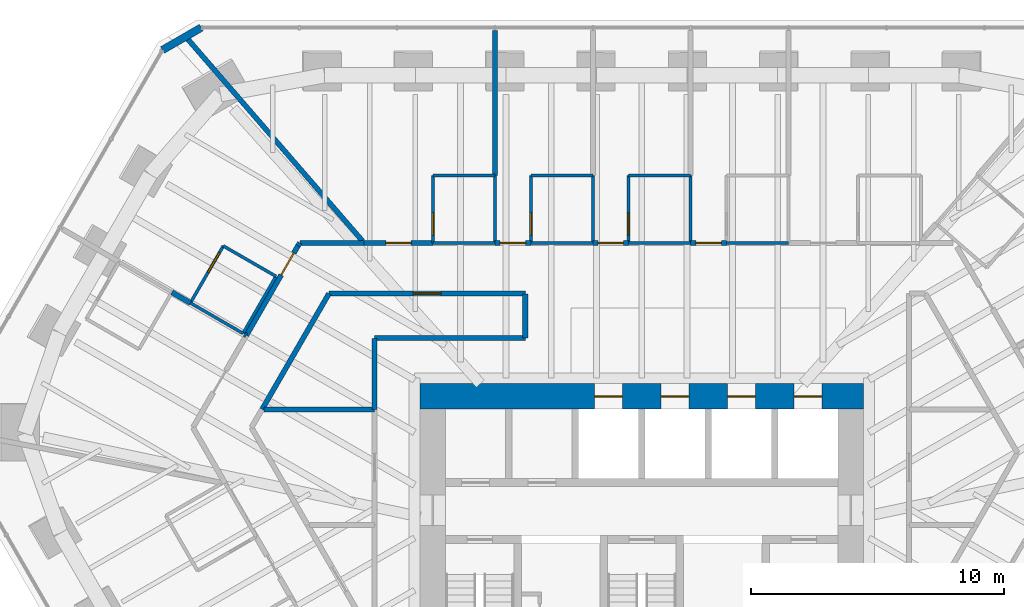
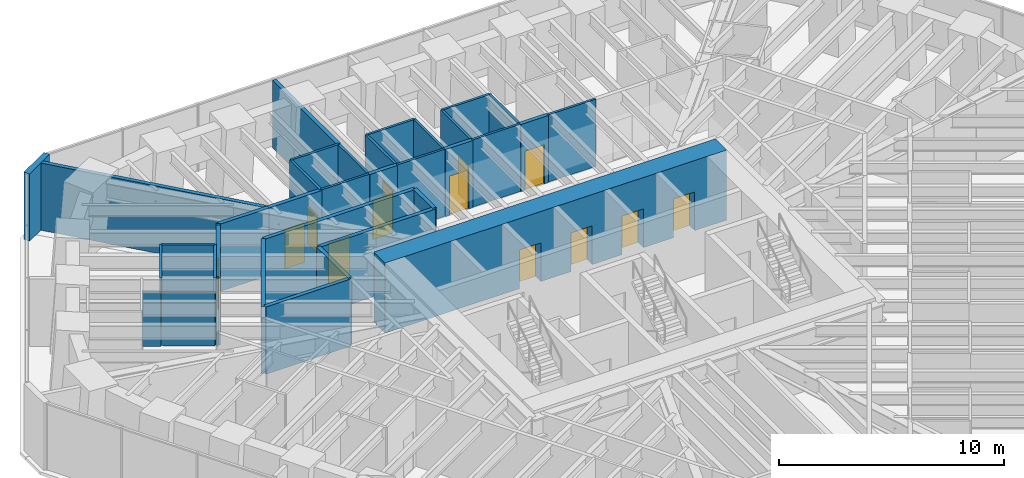
# One storey, part 15 of 17: 36 walls, 14 doors, 14 openings.
"""IFC4 building model written with IfcOpenShell, lengths in metres."""

from ifc_helpers import new_model, si_unit, direction, frame, frame_2d, origin, place, context, subcontext, project, spatial, rectangle, extrude, material, layer, layer_set, type_object, element, fill, save


model = new_model("IFC4")

# Units and contexts
model_context = context("Model", 3, precision=1e-05, world=origin(), true_north=direction((0.0, 1.0)))
body_context = subcontext(model_context, "Body", "Model", "MODEL_VIEW")
ifc_project = project(units=[si_unit("LENGTHUNIT", "METRE"), si_unit("AREAUNIT", "SQUARE_METRE"), si_unit("VOLUMEUNIT", "CUBIC_METRE"), si_unit("PLANEANGLEUNIT", "RADIAN"), si_unit("MASSUNIT", "GRAM", prefix="KILO")], contexts=[model_context])

# Site, building, storey
site_placement = place(None, origin())
site = spatial("IfcSite", under=ifc_project, at=site_placement, CompositionType="ELEMENT")
building_placement = place(site_placement, origin())
building = spatial("IfcBuilding", under=site, at=building_placement, Name="Sandreach Pilgrim Tower", CompositionType="ELEMENT")
storey_placement = place(building_placement, frame((0.0, 0.0, 240.199951171875)))
storey = spatial("IfcBuildingStorey", under=building, at=storey_placement, Name="L60", CompositionType="ELEMENT", Elevation=240.199951171875)

# Wall
ifc_material_1 = material(Name="Moisture-resistant gypsum board on steel studs", Category="steel")
ifc_layer_1 = layer(ifc_material_1, 0.1201171875)
ifc_layer_set_1 = layer_set([ifc_layer_1], Name="Bathroom partition 120")
wall_type_1 = type_object("IfcWallType", Name="Bathroom partition 120", PredefinedType="PARTITIONING", material=ifc_layer_set_1)
wall_1_placement = place(storey_placement, frame((-17.820068359375, 10.2900390625, 0.0), z_axis=(0.0, 0.0, 1.0), x_axis=(0.86531257009, -0.501232636652, 0.0)))
element("IfcWall", 1, at=wall_1_placement, inside=storey, type_object=wall_type_1, Name="Bathroom partition L60-010", PredefinedType="PARTITIONING", context=body_context, shape_type="SweptSolid", body=[
    extrude(rectangle(XDim=2.4013671875, YDim=0.1201171875, at=frame_2d((1.20068359375, 0.0))), origin(), (0.0, 0.0, 1.0), 2.8779296875),
])

# Wall, opening, door
wall_2_placement = place(storey_placement, frame((-16.52001953125, 12.5400390625, 0.0), z_axis=(0.0, 0.0, 1.0), x_axis=(-0.500291685314, -0.865856933682, 0.0)))
wall_2 = element("IfcWall", 2, at=wall_2_placement, inside=storey, type_object=wall_type_1, Name="Bathroom partition L60-015", PredefinedType="PARTITIONING", context=body_context, shape_type="SweptSolid", body=[
    extrude(rectangle(XDim=2.5986328125, YDim=0.1201171875, at=frame_2d((1.29931640625, 0.0))), origin(), (0.0, 0.0, 1.0), 3.64013671875),
])
opening_1_placement = place(wall_2_placement, frame((0.300048828125, 0.0, 0.0)))
opening_1 = element("IfcOpeningElement", 3, at=opening_1_placement, cuts=wall_2, Name="Opening D09-19B", PredefinedType="OPENING", context=body_context, shape_type="SweptSolid", body=[
    extrude(rectangle(XDim=0.89990234375, YDim=2.030029296875, at=frame_2d((0.449951171875, 1.01513671875))), frame((0.0, 0.06005859375, 0.0), z_axis=(0.0, -1.0, 0.0), x_axis=(1.0, 0.0, 0.0)), (0.0, 0.0, 1.0), 0.1201171875),
])
ifc_material_2 = material(Name="Timber door, steel frame", Category="steel")
door_type_1 = type_object("IfcDoorType", Name="Bathroom door", OperationType="SINGLE_SWING_LEFT", PredefinedType="DOOR", material=ifc_material_2)
door_1_placement = place(opening_1_placement, origin())
door_1 = element("IfcDoor", 4, at=door_1_placement, inside=storey, type_object=door_type_1, Name="Door 6019B", OperationType="SINGLE_SWING_LEFT", OverallHeight=2.030029296875, OverallWidth=0.89990234375, PredefinedType="DOOR", context=body_context, shape_type="SweptSolid", body=[
    extrude(rectangle(XDim=0.89990234375, YDim=2.030029296875, at=frame_2d((0.449951171875, 1.01513671875))), frame((0.0, 0.02490234375, 0.0), z_axis=(0.0, -1.0, 0.0), x_axis=(1.0, 0.0, 0.0)), (0.0, 0.0, 1.0), 0.050048828125),
])
fill(opening_1, door_1)

# Walls
wall_3_placement = place(storey_placement, frame((-15.739990234375, 9.090087890625, 0.0), z_axis=(0.0, 0.0, 1.0), x_axis=(0.500291685314, 0.865856933682, 0.0)))
element("IfcWall", 5, at=wall_3_placement, inside=storey, type_object=wall_type_1, Name="Bathroom partition L60-019", PredefinedType="PARTITIONING", context=body_context, shape_type="SweptSolid", body=[
    extrude(rectangle(XDim=2.5986328125, YDim=0.1201171875, at=frame_2d((1.29931640625, 0.0))), origin(), (0.0, 0.0, 1.0), 3.64013671875),
])
wall_4_placement = place(storey_placement, frame((-14.43994140625, 11.340087890625, 0.0), z_axis=(0.0, 0.0, 1.0), x_axis=(-0.866202511239, 0.499693115345, 0.0)))
element("IfcWall", 6, at=wall_4_placement, inside=storey, type_object=wall_type_1, Name="Bathroom partition L60-028", PredefinedType="PARTITIONING", context=body_context, shape_type="SweptSolid", body=[
    extrude(rectangle(XDim=2.4013671875, YDim=0.1201171875, at=frame_2d((1.20068359375, 0.0))), origin(), (0.0, 0.0, 1.0), 3.64013671875),
])

# Wall, opening, door
wall_5_placement = place(storey_placement, frame((-8.25, 15.330078125, 0.0), z_axis=(0.0, 0.0, 1.0), x_axis=(0.0, -1.0, 0.0)))
wall_5 = element("IfcWall", 7, at=wall_5_placement, inside=storey, type_object=wall_type_1, Name="Bathroom partition L60-046", PredefinedType="PARTITIONING", context=body_context, shape_type="SweptSolid", body=[
    extrude(rectangle(XDim=2.670166015625, YDim=0.1201171875, at=frame_2d((1.3349609375, 0.0))), origin(), (0.0, 0.0, 1.0), 3.64013671875),
])
opening_2_placement = place(wall_5_placement, frame((1.469970703125, 0.0, 0.0)))
opening_2 = element("IfcOpeningElement", 8, at=opening_2_placement, cuts=wall_5, Name="Opening D09-01B", PredefinedType="OPENING", context=body_context, shape_type="SweptSolid", body=[
    extrude(rectangle(XDim=0.89990234375, YDim=2.030029296875, at=frame_2d((0.449951171875, 1.01513671875))), frame((0.0, 0.06005859375, 0.0), z_axis=(0.0, -1.0, 0.0), x_axis=(1.0, 0.0, 0.0)), (0.0, 0.0, 1.0), 0.1201171875),
])
door_2_placement = place(opening_2_placement, origin())
door_2 = element("IfcDoor", 9, at=door_2_placement, inside=storey, type_object=door_type_1, Name="Door 6001B", OperationType="SINGLE_SWING_RIGHT", OverallHeight=2.030029296875, OverallWidth=0.89990234375, PredefinedType="DOOR", context=body_context, shape_type="SweptSolid", body=[
    extrude(rectangle(XDim=0.89990234375, YDim=2.030029296875, at=frame_2d((0.449951171875, 1.01513671875))), frame((0.0, 0.02490234375, 0.0), z_axis=(0.0, -1.0, 0.0), x_axis=(1.0, 0.0, 0.0)), (0.0, 0.0, 1.0), 0.050048828125),
])
fill(opening_2, door_2)

# Walls
for number, where, z_axis, x_axis, name in (
    (10, (-5.800048828125, 12.659912109375, 0.0), (0.0, 0.0, 1.0), (-1.0, 0.0, 0.0), "Bathroom partition L60-049"),
    (11, (-5.800048828125, 15.330078125, 0.0), (0.0, 0.0, 1.0), (-1.0, 0.0, 0.0), "Bathroom partition L60-050"),
):
    element("IfcWall", number, at=place(storey_placement, frame(where, z_axis=z_axis, x_axis=x_axis)), inside=storey, type_object=wall_type_1, Name=name, PredefinedType="PARTITIONING", context=body_context, shape_type="SweptSolid", body=[
        extrude(rectangle(XDim=2.449951171875, YDim=0.1201171875, at=frame_2d((1.22509765625, 0.0))), origin(), (0.0, 0.0, 1.0), 3.64013671875),
    ])
wall_6_placement = place(storey_placement, frame((-5.800048828125, 15.330078125, 0.0), z_axis=(0.0, 0.0, 1.0), x_axis=(0.0, -1.0, 0.0)))
element("IfcWall", 12, at=wall_6_placement, inside=storey, type_object=wall_type_1, Name="Bathroom partition L60-051", PredefinedType="PARTITIONING", context=body_context, shape_type="SweptSolid", body=[
    extrude(rectangle(XDim=2.670166015625, YDim=0.1201171875, at=frame_2d((1.3349609375, 0.0))), origin(), (0.0, 0.0, 1.0), 3.64013671875),
])

# Wall, opening, door
wall_7_placement = place(storey_placement, frame((-4.3798828125, 15.330078125, 0.0), z_axis=(0.0, 0.0, 1.0), x_axis=(0.0, -1.0, 0.0)))
wall_7 = element("IfcWall", 13, at=wall_7_placement, inside=storey, type_object=wall_type_1, Name="Bathroom partition L60-057", PredefinedType="PARTITIONING", context=body_context, shape_type="SweptSolid", body=[
    extrude(rectangle(XDim=2.670166015625, YDim=0.1201171875, at=frame_2d((1.3349609375, 0.0))), origin(), (0.0, 0.0, 1.0), 3.64013671875),
])
opening_3_placement = place(wall_7_placement, frame((1.469970703125, 0.0, 0.0)))
opening_3 = element("IfcOpeningElement", 14, at=opening_3_placement, cuts=wall_7, Name="Opening D09-02B", PredefinedType="OPENING", context=body_context, shape_type="SweptSolid", body=[
    extrude(rectangle(XDim=0.89990234375, YDim=2.030029296875, at=frame_2d((0.449951171875, 1.01513671875))), frame((0.0, 0.06005859375, 0.0), z_axis=(0.0, -1.0, 0.0), x_axis=(1.0, 0.0, 0.0)), (0.0, 0.0, 1.0), 0.1201171875),
])
door_3_placement = place(opening_3_placement, origin())
door_3 = element("IfcDoor", 15, at=door_3_placement, inside=storey, type_object=door_type_1, Name="Door 6002B", OperationType="SINGLE_SWING_RIGHT", OverallHeight=2.030029296875, OverallWidth=0.89990234375, PredefinedType="DOOR", context=body_context, shape_type="SweptSolid", body=[
    extrude(rectangle(XDim=0.89990234375, YDim=2.030029296875, at=frame_2d((0.449951171875, 1.01513671875))), frame((0.0, 0.02490234375, 0.0), z_axis=(0.0, -1.0, 0.0), x_axis=(1.0, 0.0, 0.0)), (0.0, 0.0, 1.0), 0.050048828125),
])
fill(opening_3, door_3)

# Walls
for number, where, z_axis, x_axis, name in (
    (16, (-1.929931640625, 12.659912109375, 0.0), (0.0, 0.0, 1.0), (-1.0, 0.0, 0.0), "Bathroom partition L60-064"),
    (17, (-1.929931640625, 15.330078125, 0.0), (0.0, 0.0, 1.0), (-1.0, 0.0, 0.0), "Bathroom partition L60-065"),
):
    element("IfcWall", number, at=place(storey_placement, frame(where, z_axis=z_axis, x_axis=x_axis)), inside=storey, type_object=wall_type_1, Name=name, PredefinedType="PARTITIONING", context=body_context, shape_type="SweptSolid", body=[
        extrude(rectangle(XDim=2.449951171875, YDim=0.1201171875, at=frame_2d((1.22509765625, 0.0))), origin(), (0.0, 0.0, 1.0), 3.64013671875),
    ])
wall_8_placement = place(storey_placement, frame((-1.929931640625, 15.330078125, 0.0), z_axis=(0.0, 0.0, 1.0), x_axis=(0.0, -1.0, 0.0)))
element("IfcWall", 18, at=wall_8_placement, inside=storey, type_object=wall_type_1, Name="Bathroom partition L60-066", PredefinedType="PARTITIONING", context=body_context, shape_type="SweptSolid", body=[
    extrude(rectangle(XDim=2.670166015625, YDim=0.1201171875, at=frame_2d((1.3349609375, 0.0))), origin(), (0.0, 0.0, 1.0), 3.64013671875),
])

# Wall, opening, door
wall_9_placement = place(storey_placement, frame((-0.52001953125, 15.330078125, 0.0), z_axis=(0.0, 0.0, 1.0), x_axis=(0.0, -1.0, 0.0)))
wall_9 = element("IfcWall", 19, at=wall_9_placement, inside=storey, type_object=wall_type_1, Name="Bathroom partition L60-071", PredefinedType="PARTITIONING", context=body_context, shape_type="SweptSolid", body=[
    extrude(rectangle(XDim=2.670166015625, YDim=0.1201171875, at=frame_2d((1.3349609375, 0.0))), origin(), (0.0, 0.0, 1.0), 3.64013671875),
])
opening_4_placement = place(wall_9_placement, frame((1.469970703125, 0.0, 0.0)))
opening_4 = element("IfcOpeningElement", 20, at=opening_4_placement, cuts=wall_9, Name="Opening D09-03B", PredefinedType="OPENING", context=body_context, shape_type="SweptSolid", body=[
    extrude(rectangle(XDim=0.89990234375, YDim=2.030029296875, at=frame_2d((0.449951171875, 1.01513671875))), frame((0.0, 0.06005859375, 0.0), z_axis=(0.0, -1.0, 0.0), x_axis=(1.0, 0.0, 0.0)), (0.0, 0.0, 1.0), 0.1201171875),
])
door_4_placement = place(opening_4_placement, origin())
door_4 = element("IfcDoor", 21, at=door_4_placement, inside=storey, type_object=door_type_1, Name="Door 6003B", OperationType="SINGLE_SWING_RIGHT", OverallHeight=2.030029296875, OverallWidth=0.89990234375, PredefinedType="DOOR", context=body_context, shape_type="SweptSolid", body=[
    extrude(rectangle(XDim=0.89990234375, YDim=2.030029296875, at=frame_2d((0.449951171875, 1.01513671875))), frame((0.0, 0.02490234375, 0.0), z_axis=(0.0, -1.0, 0.0), x_axis=(1.0, 0.0, 0.0)), (0.0, 0.0, 1.0), 0.050048828125),
])
fill(opening_4, door_4)

# Walls
for number, where, z_axis, x_axis, name in (
    (22, (1.929931640625, 12.659912109375, 0.0), (0.0, 0.0, 1.0), (-1.0, 0.0, 0.0), "Bathroom partition L60-079"),
    (23, (1.929931640625, 15.330078125, 0.0), (0.0, 0.0, 1.0), (-1.0, 0.0, 0.0), "Bathroom partition L60-080"),
):
    element("IfcWall", number, at=place(storey_placement, frame(where, z_axis=z_axis, x_axis=x_axis)), inside=storey, type_object=wall_type_1, Name=name, PredefinedType="PARTITIONING", context=body_context, shape_type="SweptSolid", body=[
        extrude(rectangle(XDim=2.449951171875, YDim=0.1201171875, at=frame_2d((1.22509765625, 0.0))), origin(), (0.0, 0.0, 1.0), 3.64013671875),
    ])
wall_10_placement = place(storey_placement, frame((1.929931640625, 15.330078125, 0.0), z_axis=(0.0, 0.0, 1.0), x_axis=(0.0, -1.0, 0.0)))
element("IfcWall", 24, at=wall_10_placement, inside=storey, type_object=wall_type_1, Name="Bathroom partition L60-081", PredefinedType="PARTITIONING", context=body_context, shape_type="SweptSolid", body=[
    extrude(rectangle(XDim=2.670166015625, YDim=0.1201171875, at=frame_2d((1.3349609375, 0.0))), origin(), (0.0, 0.0, 1.0), 3.64013671875),
])
wall_11_placement = place(storey_placement, frame((5.800048828125, 12.659912109375, 0.0), z_axis=(0.0, 0.0, 1.0), x_axis=(-1.0, 0.0, 0.0)))
element("IfcWall", 25, at=wall_11_placement, inside=storey, type_object=wall_type_1, Name="Bathroom partition L60-092", PredefinedType="PARTITIONING", context=body_context, shape_type="SweptSolid", body=[
    extrude(rectangle(XDim=2.449951171875, YDim=0.1201171875, at=frame_2d((1.22509765625, 0.0))), origin(), (0.0, 0.0, 1.0), 3.64013671875),
])

# Wall, openings, doors
ifc_material_3 = material(Name="Concrete 10000 psi", Category="concrete")
ifc_layer_2 = layer(ifc_material_3, 1.0)
ifc_layer_set_2 = layer_set([ifc_layer_2], Name="Core wall 1000")
wall_type_2 = type_object("IfcWallType", Name="Core wall 1000", PredefinedType="SHEAR", material=ifc_layer_set_2)
wall_12_placement = place(storey_placement, frame((-8.75, 6.60009765625, 0.0), z_axis=(0.0, 0.0, 1.0), x_axis=(1.0, 0.0, 0.0)))
wall_12 = element("IfcWall", 26, at=wall_12_placement, inside=storey, type_object=wall_type_2, Name="Core wall N L60", PredefinedType="SHEAR", context=body_context, shape_type="SweptSolid", body=[
    extrude(rectangle(XDim=17.5, YDim=1.0, at=frame_2d((8.75, 0.0))), origin(), (0.0, 0.0, 1.0), 3.800048828125),
])
opening_5_placement = place(wall_12_placement, frame((6.887451171875, 0.0, 0.0)))
opening_5 = element("IfcOpeningElement", 27, at=opening_5_placement, cuts=wall_12, Name="Opening LD11", PredefinedType="OPENING", context=body_context, shape_type="SweptSolid", body=[
    extrude(rectangle(XDim=1.10009765625, YDim=2.10009765625, at=frame_2d((0.550048828125, 1.050048828125))), frame((0.0, 0.5, 0.0), z_axis=(0.0, -1.0, 0.0), x_axis=(1.0, 0.0, 0.0)), (0.0, 0.0, 1.0), 1.0),
])
opening_6_placement = place(wall_12_placement, frame((9.512451171875, 0.0, 0.0)))
opening_6 = element("IfcOpeningElement", 28, at=opening_6_placement, cuts=wall_12, Name="Opening LD11", PredefinedType="OPENING", context=body_context, shape_type="SweptSolid", body=[
    extrude(rectangle(XDim=1.10009765625, YDim=2.10009765625, at=frame_2d((0.550048828125, 1.050048828125))), frame((0.0, 0.5, 0.0), z_axis=(0.0, -1.0, 0.0), x_axis=(1.0, 0.0, 0.0)), (0.0, 0.0, 1.0), 1.0),
])
opening_7_placement = place(wall_12_placement, frame((12.137451171875, 0.0, 0.0)))
opening_7 = element("IfcOpeningElement", 29, at=opening_7_placement, cuts=wall_12, Name="Opening LD11", PredefinedType="OPENING", context=body_context, shape_type="SweptSolid", body=[
    extrude(rectangle(XDim=1.10009765625, YDim=2.10009765625, at=frame_2d((0.550048828125, 1.050048828125))), frame((0.0, 0.5, 0.0), z_axis=(0.0, -1.0, 0.0), x_axis=(1.0, 0.0, 0.0)), (0.0, 0.0, 1.0), 1.0),
])
opening_8_placement = place(wall_12_placement, frame((14.762451171875, 0.0, 0.0)))
opening_8 = element("IfcOpeningElement", 30, at=opening_8_placement, cuts=wall_12, Name="Opening LD11", PredefinedType="OPENING", context=body_context, shape_type="SweptSolid", body=[
    extrude(rectangle(XDim=1.10009765625, YDim=2.10009765625, at=frame_2d((0.550048828125, 1.050048828125))), frame((0.0, 0.5, 0.0), z_axis=(0.0, -1.0, 0.0), x_axis=(1.0, 0.0, 0.0)), (0.0, 0.0, 1.0), 1.0),
])
ifc_material_4 = material(Name="Steel door and frame", Category="steel")
door_type_2 = type_object("IfcDoorType", Name="Lift landing door", OperationType="DOUBLE_DOOR_SLIDING", PredefinedType="DOOR", material=ifc_material_4)
door_5_placement = place(opening_5_placement, origin())
door_5 = element("IfcDoor", 31, at=door_5_placement, inside=storey, type_object=door_type_2, Name="Lift landing door Z3A L60", OperationType="DOUBLE_DOOR_SLIDING", OverallHeight=2.10009765625, OverallWidth=1.10009765625, PredefinedType="DOOR", context=body_context, shape_type="SweptSolid", body=[
    extrude(rectangle(XDim=1.10009765625, YDim=2.10009765625, at=frame_2d((0.550048828125, 1.050048828125))), frame((0.0, 0.02490234375, 0.0), z_axis=(0.0, -1.0, 0.0), x_axis=(1.0, 0.0, 0.0)), (0.0, 0.0, 1.0), 0.050048828125),
])
fill(opening_5, door_5)
door_6_placement = place(opening_6_placement, origin())
door_6 = element("IfcDoor", 32, at=door_6_placement, inside=storey, type_object=door_type_2, Name="Lift landing door Z3B L60", OperationType="DOUBLE_DOOR_SLIDING", OverallHeight=2.10009765625, OverallWidth=1.10009765625, PredefinedType="DOOR", context=body_context, shape_type="SweptSolid", body=[
    extrude(rectangle(XDim=1.10009765625, YDim=2.10009765625, at=frame_2d((0.550048828125, 1.050048828125))), frame((0.0, 0.02490234375, 0.0), z_axis=(0.0, -1.0, 0.0), x_axis=(1.0, 0.0, 0.0)), (0.0, 0.0, 1.0), 0.050048828125),
])
fill(opening_6, door_6)
door_7_placement = place(opening_7_placement, origin())
door_7 = element("IfcDoor", 33, at=door_7_placement, inside=storey, type_object=door_type_2, Name="Lift landing door Z3C L60", OperationType="DOUBLE_DOOR_SLIDING", OverallHeight=2.10009765625, OverallWidth=1.10009765625, PredefinedType="DOOR", context=body_context, shape_type="SweptSolid", body=[
    extrude(rectangle(XDim=1.10009765625, YDim=2.10009765625, at=frame_2d((0.550048828125, 1.050048828125))), frame((0.0, 0.02490234375, 0.0), z_axis=(0.0, -1.0, 0.0), x_axis=(1.0, 0.0, 0.0)), (0.0, 0.0, 1.0), 0.050048828125),
])
fill(opening_7, door_7)
door_8_placement = place(opening_8_placement, origin())
door_8 = element("IfcDoor", 34, at=door_8_placement, inside=storey, type_object=door_type_2, Name="Lift landing door Z3D L60", OperationType="DOUBLE_DOOR_SLIDING", OverallHeight=2.10009765625, OverallWidth=1.10009765625, PredefinedType="DOOR", context=body_context, shape_type="SweptSolid", body=[
    extrude(rectangle(XDim=1.10009765625, YDim=2.10009765625, at=frame_2d((0.550048828125, 1.050048828125))), frame((0.0, 0.02490234375, 0.0), z_axis=(0.0, -1.0, 0.0), x_axis=(1.0, 0.0, 0.0)), (0.0, 0.0, 1.0), 0.050048828125),
])
fill(opening_8, door_8)

# Wall, opening, door
ifc_material_5 = material(Name="Gypsum board on steel studs, two layers each side", Category="steel")
ifc_layer_3 = layer(ifc_material_5, 0.199951171875)
ifc_layer_set_3 = layer_set([ifc_layer_3], Name="Corridor wall 200")
wall_type_3 = type_object("IfcWallType", Name="Corridor wall 200", PredefinedType="PARTITIONING", material=ifc_layer_set_3)
wall_13_placement = place(storey_placement, frame((-15.610107421875, 9.010009765625, 0.0), z_axis=(0.0, 0.0, 1.0), x_axis=(0.499301665038, 0.866428212428, 0.0)))
wall_13 = element("IfcWall", 35, at=wall_13_placement, inside=storey, type_object=wall_type_3, Name="Corridor wall L60-021", PredefinedType="PARTITIONING", context=body_context, shape_type="SweptSolid", body=[
    extrude(rectangle(XDim=4.085693359375, YDim=0.199951171875, at=frame_2d((2.04296875, 0.0))), origin(), (0.0, 0.0, 1.0), 3.64013671875),
])
opening_9_placement = place(wall_13_placement, frame((2.75, 0.0, 0.0)))
opening_9 = element("IfcOpeningElement", 36, at=opening_9_placement, cuts=wall_13, Name="Opening D10-19", PredefinedType="OPENING", context=body_context, shape_type="SweptSolid", body=[
    extrude(rectangle(XDim=1.0, YDim=2.1298828125, at=frame_2d((0.5, 1.06494140625))), frame((0.0, 0.10009765625, 0.0), z_axis=(0.0, -1.0, 0.0), x_axis=(1.0, 0.0, 0.0)), (0.0, 0.0, 1.0), 0.199951171875),
])
ifc_material_6 = material(Name="Steel door and frame", Category="steel")
door_type_3 = type_object("IfcDoorType", Name="Guest room entry door", OperationType="SINGLE_SWING_LEFT", PredefinedType="DOOR", material=ifc_material_6)
door_9_placement = place(opening_9_placement, origin())
door_9 = element("IfcDoor", 37, at=door_9_placement, inside=storey, type_object=door_type_3, Name="Door 6019", OperationType="SINGLE_SWING_RIGHT", OverallHeight=2.1298828125, OverallWidth=1.0, PredefinedType="DOOR", context=body_context, shape_type="SweptSolid", body=[
    extrude(rectangle(XDim=1.0, YDim=2.1298828125, at=frame_2d((0.5, 1.06494140625))), frame((0.0, 0.02490234375, 0.0), z_axis=(0.0, -1.0, 0.0), x_axis=(1.0, 0.0, 0.0)), (0.0, 0.0, 1.0), 0.050048828125),
])
fill(opening_9, door_9)

# Walls
wall_14_placement = place(storey_placement, frame((-14.989990234375, 6.090087890625, 0.0), z_axis=(0.0, 0.0, 1.0), x_axis=(0.500213626659, 0.86590203124, 0.0)))
element("IfcWall", 38, at=wall_14_placement, inside=storey, type_object=wall_type_3, Name="Corridor wall L60-025", PredefinedType="PARTITIONING", context=body_context, shape_type="SweptSolid", body=[
    extrude(rectangle(XDim=5.277587890625, YDim=0.199951171875, at=frame_2d((2.638671875, 0.0))), origin(), (0.0, 0.0, 1.0), 3.64013671875),
])
wall_15_placement = place(storey_placement, frame((-13.5, 12.659912109375, 0.0), z_axis=(0.0, 0.0, 1.0), x_axis=(-0.537723852201, -0.843121022614, 0.0)))
element("IfcWall", 39, at=wall_15_placement, inside=storey, type_object=wall_type_3, Name="Corridor wall L60-030", PredefinedType="PARTITIONING", context=body_context, shape_type="SweptSolid", body=[
    extrude(rectangle(XDim=0.13037109375, YDim=0.199951171875, at=frame_2d((0.065185546875, 0.0))), origin(), (0.0, 0.0, 1.0), 3.64013671875),
])

# Wall, opening, door
wall_16_placement = place(storey_placement, frame((-12.35009765625, 10.659912109375, 0.0), z_axis=(0.0, 0.0, 1.0), x_axis=(1.0, 0.0, 0.0)))
wall_16 = element("IfcWall", 40, at=wall_16_placement, inside=storey, type_object=wall_type_3, Name="Corridor wall L60-033", PredefinedType="PARTITIONING", context=body_context, shape_type="SweptSolid", body=[
    extrude(rectangle(XDim=7.75, YDim=0.199951171875, at=frame_2d((3.875, 0.0))), origin(), (0.0, 0.0, 1.0), 3.64013671875),
])
opening_10_placement = place(wall_16_placement, frame((3.324951171875, 0.0, 0.0)))
opening_10 = element("IfcOpeningElement", 41, at=opening_10_placement, cuts=wall_16, Name="Opening D11H-M03", PredefinedType="OPENING", context=body_context, shape_type="SweptSolid", body=[
    extrude(rectangle(XDim=1.10009765625, YDim=2.199951171875, at=frame_2d((0.550048828125, 1.10009765625))), frame((0.0, 0.10009765625, 0.0), z_axis=(0.0, -1.0, 0.0), x_axis=(1.0, 0.0, 0.0)), (0.0, 0.0, 1.0), 0.199951171875),
])
ifc_material_7 = material(Name="Steel door and frame", Category="steel")
door_type_4 = type_object("IfcDoorType", Name="Back of house door", OperationType="SINGLE_SWING_LEFT", PredefinedType="DOOR", material=ifc_material_7)
door_10_placement = place(opening_10_placement, origin())
door_10 = element("IfcDoor", 42, at=door_10_placement, inside=storey, type_object=door_type_4, Name="Door 60M03", OperationType="SINGLE_SWING_LEFT", OverallHeight=2.199951171875, OverallWidth=1.10009765625, PredefinedType="DOOR", context=body_context, shape_type="SweptSolid", body=[
    extrude(rectangle(XDim=1.10009765625, YDim=2.199951171875, at=frame_2d((0.550048828125, 1.10009765625))), frame((0.0, 0.02490234375, 0.0), z_axis=(0.0, -1.0, 0.0), x_axis=(1.0, 0.0, 0.0)), (0.0, 0.0, 1.0), 0.050048828125),
])
fill(opening_10, door_10)

# Walls
wall_17_placement = place(storey_placement, frame((-10.9599609375, 12.659912109375, 0.0), z_axis=(0.0, 0.0, 1.0), x_axis=(-1.0, 0.0, 0.0)))
element("IfcWall", 43, at=wall_17_placement, inside=storey, type_object=wall_type_3, Name="Corridor wall L60-035", PredefinedType="PARTITIONING", context=body_context, shape_type="SweptSolid", body=[
    extrude(rectangle(XDim=2.5400390625, YDim=0.199951171875, at=frame_2d((1.27001953125, 0.0))), origin(), (0.0, 0.0, 1.0), 3.64013671875),
])
wall_18_placement = place(storey_placement, frame((-10.550048828125, 8.889892578125, 0.0), z_axis=(0.0, 0.0, 1.0), x_axis=(0.0, -1.0, 0.0)))
element("IfcWall", 44, at=wall_18_placement, inside=storey, type_object=wall_type_3, Name="Corridor wall L60-040", PredefinedType="PARTITIONING", context=body_context, shape_type="SweptSolid", body=[
    extrude(rectangle(XDim=2.7998046875, YDim=0.199951171875, at=frame_2d((1.39990234375, 0.0))), origin(), (0.0, 0.0, 1.0), 3.64013671875),
])

# Wall, opening, door
wall_19_placement = place(storey_placement, frame((-8.25, 12.659912109375, 0.0), z_axis=(0.0, 0.0, 1.0), x_axis=(-1.0, 0.0, 0.0)))
wall_19 = element("IfcWall", 45, at=wall_19_placement, inside=storey, type_object=wall_type_3, Name="Corridor wall L60-045", PredefinedType="PARTITIONING", context=body_context, shape_type="SweptSolid", body=[
    extrude(rectangle(XDim=2.7099609375, YDim=0.199951171875, at=frame_2d((1.35498046875, 0.0))), origin(), (0.0, 0.0, 1.0), 3.64013671875),
])
opening_11_placement = place(wall_19_placement, frame((0.85498046875, 0.0, 0.0)))
opening_11 = element("IfcOpeningElement", 46, at=opening_11_placement, cuts=wall_19, Name="Opening D10-01", PredefinedType="OPENING", context=body_context, shape_type="SweptSolid", body=[
    extrude(rectangle(XDim=1.0, YDim=2.1298828125, at=frame_2d((0.5, 1.06494140625))), frame((0.0, 0.10009765625, 0.0), z_axis=(0.0, -1.0, 0.0), x_axis=(1.0, 0.0, 0.0)), (0.0, 0.0, 1.0), 0.199951171875),
])
door_11_placement = place(opening_11_placement, origin())
door_11 = element("IfcDoor", 47, at=door_11_placement, inside=storey, type_object=door_type_3, Name="Door 6001", OperationType="SINGLE_SWING_LEFT", OverallHeight=2.1298828125, OverallWidth=1.0, PredefinedType="DOOR", context=body_context, shape_type="SweptSolid", body=[
    extrude(rectangle(XDim=1.0, YDim=2.1298828125, at=frame_2d((0.5, 1.06494140625))), frame((0.0, 0.02490234375, 0.0), z_axis=(0.0, -1.0, 0.0), x_axis=(1.0, 0.0, 0.0)), (0.0, 0.0, 1.0), 0.050048828125),
])
fill(opening_11, door_11)

# Walls
wall_20_placement = place(storey_placement, frame((-4.60009765625, 8.89990234375, 0.0), z_axis=(0.0, 0.0, 1.0), x_axis=(-1.0, 0.0, 0.0)))
element("IfcWall", 48, at=wall_20_placement, inside=storey, type_object=wall_type_3, Name="Corridor wall L60-054", PredefinedType="PARTITIONING", context=body_context, shape_type="SweptSolid", body=[
    extrude(rectangle(XDim=5.949951171875, YDim=0.199951171875, at=frame_2d((2.97509765625, 0.0))), origin(), (0.0, 0.0, 1.0), 3.64013671875),
])
wall_21_placement = place(storey_placement, frame((-4.60009765625, 10.64990234375, 0.0), z_axis=(0.0, 0.0, 1.0), x_axis=(0.0, -1.0, 0.0)))
element("IfcWall", 49, at=wall_21_placement, inside=storey, type_object=wall_type_3, Name="Corridor wall L60-055", PredefinedType="PARTITIONING", context=body_context, shape_type="SweptSolid", body=[
    extrude(rectangle(XDim=1.739990234375, YDim=0.199951171875, at=frame_2d((0.8701171875, 0.0))), origin(), (0.0, 0.0, 1.0), 3.64013671875),
])

# Wall, opening, door
wall_22_placement = place(storey_placement, frame((-4.3798828125, 12.659912109375, 0.0), z_axis=(0.0, 0.0, 1.0), x_axis=(-1.0, 0.0, 0.0)))
wall_22 = element("IfcWall", 50, at=wall_22_placement, inside=storey, type_object=wall_type_3, Name="Corridor wall L60-056", PredefinedType="PARTITIONING", context=body_context, shape_type="SweptSolid", body=[
    extrude(rectangle(XDim=1.420166015625, YDim=0.199951171875, at=frame_2d((0.7099609375, 0.0))), origin(), (0.0, 0.0, 1.0), 3.64013671875),
])
opening_12_placement = place(wall_22_placement, frame((0.2099609375, 0.0, 0.0)))
opening_12 = element("IfcOpeningElement", 51, at=opening_12_placement, cuts=wall_22, Name="Opening D10-02", PredefinedType="OPENING", context=body_context, shape_type="SweptSolid", body=[
    extrude(rectangle(XDim=1.0, YDim=2.1298828125, at=frame_2d((0.5, 1.06494140625))), frame((0.0, 0.10009765625, 0.0), z_axis=(0.0, -1.0, 0.0), x_axis=(1.0, 0.0, 0.0)), (0.0, 0.0, 1.0), 0.199951171875),
])
door_12_placement = place(opening_12_placement, origin())
door_12 = element("IfcDoor", 52, at=door_12_placement, inside=storey, type_object=door_type_3, Name="Door 6002", OperationType="SINGLE_SWING_LEFT", OverallHeight=2.1298828125, OverallWidth=1.0, PredefinedType="DOOR", context=body_context, shape_type="SweptSolid", body=[
    extrude(rectangle(XDim=1.0, YDim=2.1298828125, at=frame_2d((0.5, 1.06494140625))), frame((0.0, 0.02490234375, 0.0), z_axis=(0.0, -1.0, 0.0), x_axis=(1.0, 0.0, 0.0)), (0.0, 0.0, 1.0), 0.050048828125),
])
fill(opening_12, door_12)

wall_23_placement = place(storey_placement, frame((-0.52001953125, 12.659912109375, 0.0), z_axis=(0.0, 0.0, 1.0), x_axis=(-1.0, 0.0, 0.0)))
wall_23 = element("IfcWall", 53, at=wall_23_placement, inside=storey, type_object=wall_type_3, Name="Corridor wall L60-070", PredefinedType="PARTITIONING", context=body_context, shape_type="SweptSolid", body=[
    extrude(rectangle(XDim=1.409912109375, YDim=0.199951171875, at=frame_2d((0.705078125, 0.0))), origin(), (0.0, 0.0, 1.0), 3.64013671875),
])
opening_13_placement = place(wall_23_placement, frame((0.205078125, 0.0, 0.0)))
opening_13 = element("IfcOpeningElement", 54, at=opening_13_placement, cuts=wall_23, Name="Opening D10-03", PredefinedType="OPENING", context=body_context, shape_type="SweptSolid", body=[
    extrude(rectangle(XDim=1.0, YDim=2.1298828125, at=frame_2d((0.5, 1.06494140625))), frame((0.0, 0.10009765625, 0.0), z_axis=(0.0, -1.0, 0.0), x_axis=(1.0, 0.0, 0.0)), (0.0, 0.0, 1.0), 0.199951171875),
])
door_13_placement = place(opening_13_placement, origin())
door_13 = element("IfcDoor", 55, at=door_13_placement, inside=storey, type_object=door_type_3, Name="Door 6003", OperationType="SINGLE_SWING_LEFT", OverallHeight=2.1298828125, OverallWidth=1.0, PredefinedType="DOOR", context=body_context, shape_type="SweptSolid", body=[
    extrude(rectangle(XDim=1.0, YDim=2.1298828125, at=frame_2d((0.5, 1.06494140625))), frame((0.0, 0.02490234375, 0.0), z_axis=(0.0, -1.0, 0.0), x_axis=(1.0, 0.0, 0.0)), (0.0, 0.0, 1.0), 0.050048828125),
])
fill(opening_13, door_13)

wall_24_placement = place(storey_placement, frame((3.35009765625, 12.659912109375, 0.0), z_axis=(0.0, 0.0, 1.0), x_axis=(-1.0, 0.0, 0.0)))
wall_24 = element("IfcWall", 56, at=wall_24_placement, inside=storey, type_object=wall_type_3, Name="Corridor wall L60-084", PredefinedType="PARTITIONING", context=body_context, shape_type="SweptSolid", body=[
    extrude(rectangle(XDim=1.420166015625, YDim=0.199951171875, at=frame_2d((0.7099609375, 0.0))), origin(), (0.0, 0.0, 1.0), 3.64013671875),
])
opening_14_placement = place(wall_24_placement, frame((0.2099609375, 0.0, 0.0)))
opening_14 = element("IfcOpeningElement", 57, at=opening_14_placement, cuts=wall_24, Name="Opening D10-04", PredefinedType="OPENING", context=body_context, shape_type="SweptSolid", body=[
    extrude(rectangle(XDim=1.0, YDim=2.1298828125, at=frame_2d((0.5, 1.06494140625))), frame((0.0, 0.10009765625, 0.0), z_axis=(0.0, -1.0, 0.0), x_axis=(1.0, 0.0, 0.0)), (0.0, 0.0, 1.0), 0.199951171875),
])
door_14_placement = place(opening_14_placement, origin())
door_14 = element("IfcDoor", 58, at=door_14_placement, inside=storey, type_object=door_type_3, Name="Door 6004", OperationType="SINGLE_SWING_LEFT", OverallHeight=2.1298828125, OverallWidth=1.0, PredefinedType="DOOR", context=body_context, shape_type="SweptSolid", body=[
    extrude(rectangle(XDim=1.0, YDim=2.1298828125, at=frame_2d((0.5, 1.06494140625))), frame((0.0, 0.02490234375, 0.0), z_axis=(0.0, -1.0, 0.0), x_axis=(1.0, 0.0, 0.0)), (0.0, 0.0, 1.0), 0.050048828125),
])
fill(opening_14, door_14)

# Walls
ifc_material_8 = material(Name="Double steel stud acoustic wall, gypsum board", Category="steel")
ifc_layer_4 = layer(ifc_material_8, 0.199951171875)
ifc_layer_set_4 = layer_set([ifc_layer_4], Name="Party wall 200")
wall_type_4 = type_object("IfcWallType", Name="Party wall 200", PredefinedType="PARTITIONING", material=ifc_layer_set_4)
wall_25_placement = place(storey_placement, frame((-18.550048828125, 10.7099609375, 0.0), z_axis=(0.0, 0.0, 1.0), x_axis=(0.865717170405, -0.500533496247, 0.0)))
element("IfcWall", 59, at=wall_25_placement, inside=storey, type_object=wall_type_4, Name="Party wall L60-009", PredefinedType="PARTITIONING", context=body_context, shape_type="SweptSolid", body=[
    extrude(rectangle(XDim=0.84228515625, YDim=0.199951171875, at=frame_2d((0.421142578125, 0.0))), origin(), (0.0, 0.0, 1.0), 2.8779296875),
])
wall_26_placement = place(storey_placement, frame((-15.685791015625, 9.053955078125, 0.0), z_axis=(0.0, 0.0, 1.0), x_axis=(0.86478894661, -0.502135517387, 0.0)))
element("IfcWall", 60, at=wall_26_placement, inside=storey, type_object=wall_type_4, Name="Party wall L60-020", PredefinedType="PARTITIONING", context=body_context, shape_type="SweptSolid", body=[
    extrude(rectangle(XDim=0.08740234375, YDim=0.199951171875, at=frame_2d((0.043701171875, 0.0))), origin(), (0.0, 0.0, 1.0), 3.64013671875),
])
wall_27_placement = place(storey_placement, frame((-14.9150390625, 6.090087890625, 0.0), z_axis=(0.0, 0.0, 1.0), x_axis=(1.0, 0.0, 0.0)))
element("IfcWall", 61, at=wall_27_placement, inside=storey, type_object=wall_type_4, Name="Party wall L60-027", PredefinedType="PARTITIONING", context=body_context, shape_type="SweptSolid", body=[
    extrude(rectangle(XDim=4.35498046875, YDim=0.199951171875, at=frame_2d((2.177490234375, 0.0))), origin(), (0.0, 0.0, 1.0), 3.64013671875),
])
wall_28_placement = place(storey_placement, frame((-11.025390625, 12.735595703125, 0.0), z_axis=(0.0, 0.0, 1.0), x_axis=(-0.654431245438, 0.756121514702, 0.0)))
element("IfcWall", 62, at=wall_28_placement, inside=storey, type_object=wall_type_4, Name="Party wall L60-034", PredefinedType="PARTITIONING", context=body_context, shape_type="SweptSolid", body=[
    extrude(rectangle(XDim=10.6884765625, YDim=0.199951171875, at=frame_2d((5.34423828125, 0.0))), origin(), (0.0, 0.0, 1.0), 3.64013671875),
])
wall_29_placement = place(storey_placement, frame((-5.800048828125, 21.0400390625, 0.0), z_axis=(0.0, 0.0, 1.0), x_axis=(0.0, -1.0, 0.0)))
element("IfcWall", 63, at=wall_29_placement, inside=storey, type_object=wall_type_4, Name="Party wall L60-052", PredefinedType="PARTITIONING", context=body_context, shape_type="SweptSolid", body=[
    extrude(rectangle(XDim=5.7099609375, YDim=0.199951171875, at=frame_2d((2.85498046875, 0.0))), origin(), (0.0, 0.0, 1.0), 3.64013671875),
])
ifc_material_9 = material(Name="Terracotta rainscreen on concrete", Category="masonry")
ifc_layer_5 = layer(ifc_material_9, 0.300048828125)
ifc_layer_set_5 = layer_set([ifc_layer_5], Name="Terracotta chamfer pier")
wall_type_5 = type_object("IfcWallType", Name="Terracotta chamfer pier", PredefinedType="SOLIDWALL", material=ifc_layer_set_5)
wall_30_placement = place(storey_placement, frame((-18.9228515625, 20.275146484375, 0.0), z_axis=(0.0, 0.0, 1.0), x_axis=(0.866036293601, 0.499981137809, 0.0)))
element("IfcWall", 64, at=wall_30_placement, inside=storey, type_object=wall_type_5, Name="Chamfer pier L60 NW", PredefinedType="SOLIDWALL", context=body_context, shape_type="SweptSolid", body=[
    extrude(rectangle(XDim=1.77001953125, YDim=0.300048828125, at=frame_2d((0.885009765625, 0.0))), origin(), (0.0, 0.0, 1.0), 3.64013671875),
])

save(model, "model.ifc")
